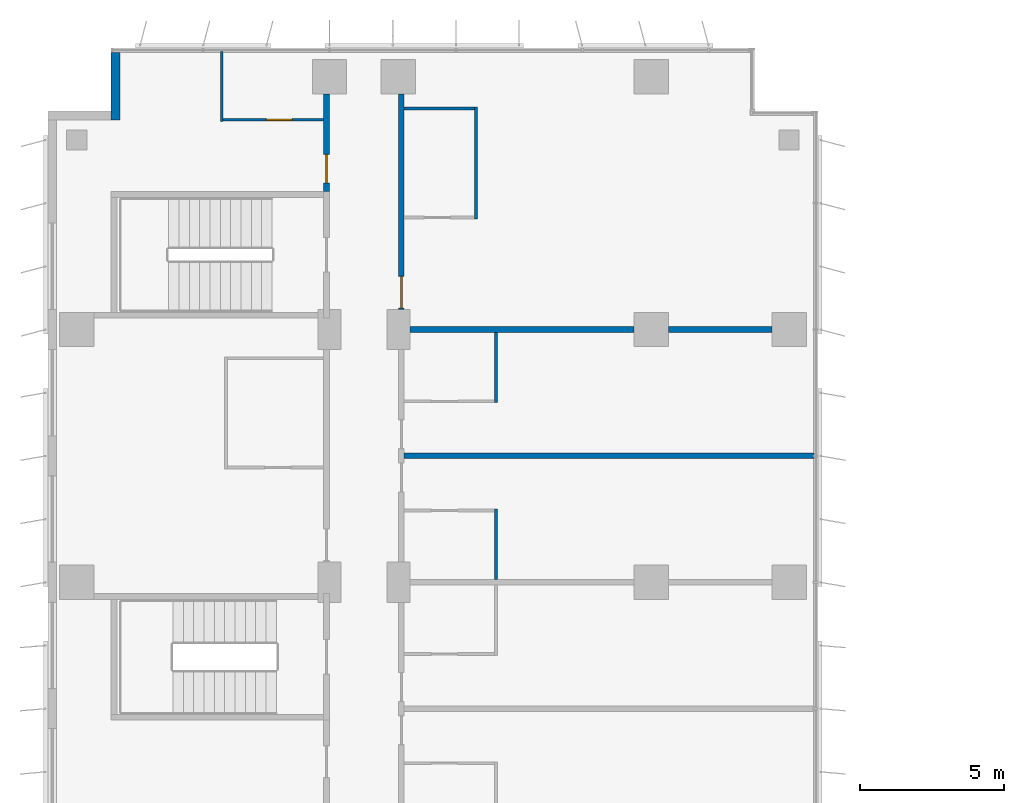
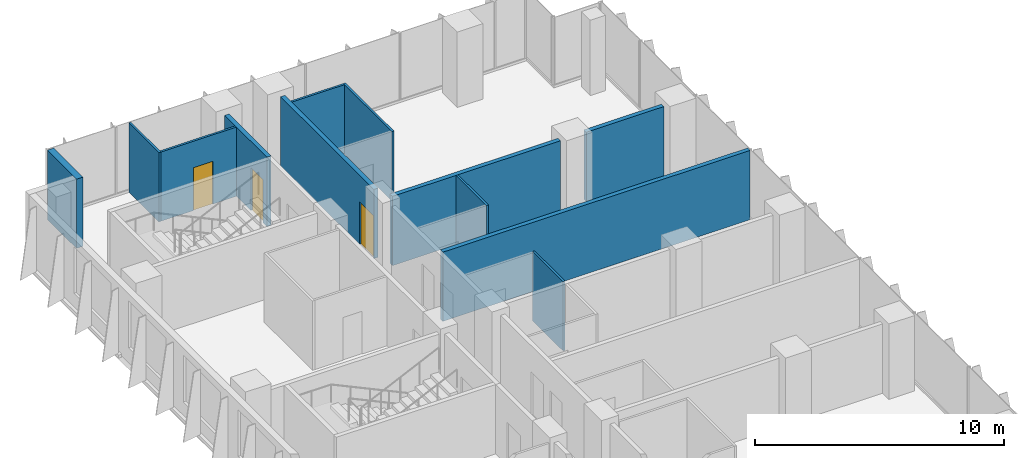
# One storey, part 17 of 22: 12 walls, 3 doors, 3 openings.
"""IFC4 building model written with IfcOpenShell, lengths in metres."""

from ifc_helpers import new_model, si_unit, direction, frame, frame_2d, origin, place, context, subcontext, project, spatial, rectangle, extrude, material, layer, layer_set, type_object, element, fill, save


model = new_model("IFC4")

# Units and contexts
model_context = context("Model", 3, precision=1e-05, world=origin(), true_north=direction((0.0, 1.0)))
body_context = subcontext(model_context, "Body", "Model", "MODEL_VIEW")
ifc_project = project(units=[si_unit("LENGTHUNIT", "METRE"), si_unit("AREAUNIT", "SQUARE_METRE"), si_unit("VOLUMEUNIT", "CUBIC_METRE"), si_unit("PLANEANGLEUNIT", "RADIAN"), si_unit("MASSUNIT", "GRAM", prefix="KILO")], contexts=[model_context])

# Site, building, storey
site_placement = place(None, origin())
site = spatial("IfcSite", under=ifc_project, at=site_placement, CompositionType="ELEMENT")
building_placement = place(site_placement, origin())
building = spatial("IfcBuilding", under=site, at=building_placement, Name="Kemantara Hotel Tower", CompositionType="ELEMENT")
storey_placement = place(building_placement, frame((0.0, 0.0, 94.5)))
storey = spatial("IfcBuildingStorey", under=building, at=storey_placement, Name="L22", CompositionType="ELEMENT", Elevation=94.5)

# Wall
ifc_material_1 = material(Name="Bronze anodised aluminium cladding on insulated steel stud wall", Category="steel")
ifc_layer_1 = layer(ifc_material_1, 0.300048828125)
ifc_layer_set_1 = layer_set([ifc_layer_1], Name="Bronze anodised aluminium cladding on insulated steel stud wall")
wall_type_1 = type_object("IfcWallType", Name="BRONZE METAL-CLAD EXTERNAL WALL 300", PredefinedType="STANDARD", material=ifc_layer_set_1)
wall_1_placement = place(storey_placement, frame((2.35009765625, 81.050048828125, 0.0), z_axis=(0.0, 0.0, 1.0), x_axis=(0.0, -1.0, 0.0)))
element("IfcWall", 1, at=wall_1_placement, inside=storey, type_object=wall_type_1, Name="EXTERNAL WALL L22 T2-R02", PredefinedType="STANDARD", context=body_context, shape_type="SweptSolid", body=[
    extrude(rectangle(XDim=2.35009765625, YDim=0.300048828125, at=frame_2d((1.175048828125, 0.0))), origin(), (0.0, 0.0, 1.0), 3.39990234375),
])

# Wall, opening, door
ifc_material_2 = material(Name="Gypsum board partition, steel studs and mineral wool, 200 mm", Category="steel")
ifc_layer_2 = layer(ifc_material_2, 0.199951171875)
ifc_layer_set_2 = layer_set([ifc_layer_2], Name="Gypsum board partition, steel studs and mineral wool, 200 mm")
wall_type_2 = type_object("IfcWallType", Name="CORRIDOR WALL 200", PredefinedType="PARTITIONING", material=ifc_layer_set_2)
wall_2_placement = place(storey_placement, frame((9.699951171875, 76.199951171875, 0.0), z_axis=(0.0, 0.0, 1.0), x_axis=(0.0, 1.0, 0.0)))
wall_2 = element("IfcWall", 2, at=wall_2_placement, inside=storey, type_object=wall_type_2, Name="CORRIDOR WALL 200 023", PredefinedType="PARTITIONING", context=body_context, shape_type="SweptSolid", body=[
    extrude(rectangle(XDim=3.39990234375, YDim=0.199951171875, at=frame_2d((1.699951171875, 0.0))), origin(), (0.0, 0.0, 1.0), 3.39990234375),
])
opening_1_placement = place(wall_2_placement, frame((0.300048828125, 0.0, 0.0)))
opening_1 = element("IfcOpeningElement", 3, at=opening_1_placement, cuts=wall_2, Name="Opening F08-031", PredefinedType="OPENING", context=body_context, shape_type="SweptSolid", body=[
    extrude(rectangle(XDim=1.0, YDim=2.10009765625, at=frame_2d((0.5, 1.050048828125))), frame((0.0, 0.10986328125, 0.0), z_axis=(0.0, -1.0, 0.0), x_axis=(1.0, 0.0, 0.0)), (0.0, 0.0, 1.0), 0.219970703125),
])
ifc_material_3 = material(Name="Hardwood veneer door leaf with steel frame", Category="steel")
door_type_1 = type_object("IfcDoorType", Name="GUEST ROOM DOOR 1000 X 2100 FD30S", OperationType="NOTDEFINED", PredefinedType="DOOR", material=ifc_material_3)
door_1_placement = place(opening_1_placement, origin())
door_1 = element("IfcDoor", 4, at=door_1_placement, inside=storey, type_object=door_type_1, Name="GUEST ROOM DOOR F08-031", OperationType="SINGLE_SWING_LEFT", OverallHeight=2.10009765625, OverallWidth=1.0, PredefinedType="DOOR", context=body_context, shape_type="SweptSolid", body=[
    extrude(rectangle(XDim=1.0, YDim=2.10009765625, at=frame_2d((0.5, 1.050048828125))), frame((0.0, 0.02490234375, 0.0), z_axis=(0.0, -1.0, 0.0), x_axis=(1.0, 0.0, 0.0)), (0.0, 0.0, 1.0), 0.050048828125),
])
fill(opening_1, door_1)

wall_3_placement = place(storey_placement, frame((12.300048828125, 79.599853515625, 0.0), z_axis=(0.0, 0.0, 1.0), x_axis=(0.0, -1.0, 0.0)))
wall_3 = element("IfcWall", 5, at=wall_3_placement, inside=storey, type_object=wall_type_2, Name="CORRIDOR WALL 200 036", PredefinedType="PARTITIONING", context=body_context, shape_type="SweptSolid", body=[
    extrude(rectangle(XDim=7.499755859375, YDim=0.199951171875, at=frame_2d((3.75, 0.0))), origin(), (0.0, 0.0, 1.0), 3.39990234375),
])
opening_2_placement = place(wall_3_placement, frame((6.349853515625, 0.0, 0.0)))
opening_2 = element("IfcOpeningElement", 6, at=opening_2_placement, cuts=wall_3, Name="Opening F08-049", PredefinedType="OPENING", context=body_context, shape_type="SweptSolid", body=[
    extrude(rectangle(XDim=1.10009765625, YDim=2.10009765625, at=frame_2d((0.550048828125, 1.050048828125))), frame((0.0, 0.10986328125, 0.0), z_axis=(0.0, -1.0, 0.0), x_axis=(1.0, 0.0, 0.0)), (0.0, 0.0, 1.0), 0.219970703125),
])
door_type_2 = type_object("IfcDoorType", Name="SUITE ENTRANCE DOOR 1100 X 2100 FD30S", OperationType="NOTDEFINED", PredefinedType="DOOR", material=ifc_material_3)
door_2_placement = place(opening_2_placement, origin())
door_2 = element("IfcDoor", 7, at=door_2_placement, inside=storey, type_object=door_type_2, Name="SUITE ENTRANCE DOOR F08-049", OperationType="SINGLE_SWING_RIGHT", OverallHeight=2.10009765625, OverallWidth=1.10009765625, PredefinedType="DOOR", context=body_context, shape_type="SweptSolid", body=[
    extrude(rectangle(XDim=1.10009765625, YDim=2.10009765625, at=frame_2d((0.550048828125, 1.050048828125))), frame((0.0, 0.02490234375, 0.0), z_axis=(0.0, -1.0, 0.0), x_axis=(1.0, 0.0, 0.0)), (0.0, 0.0, 1.0), 0.050048828125),
])
fill(opening_2, door_2)

# Walls
ifc_layer_3 = layer(ifc_material_2, 0.199951171875)
ifc_layer_set_3 = layer_set([ifc_layer_3], Name="Gypsum board partition, steel studs and mineral wool, 200 mm")
wall_type_3 = type_object("IfcWallType", Name="GUEST ROOM PARTY WALL 200", PredefinedType="PARTITIONING", material=ifc_layer_set_3)
wall_4_placement = place(storey_placement, frame((12.39990234375, 67.0, 0.0), z_axis=(0.0, 0.0, 1.0), x_axis=(1.0, 0.0, 0.0)))
element("IfcWall", 8, at=wall_4_placement, inside=storey, type_object=wall_type_3, Name="GUEST ROOM PARTY WALL 200 047", PredefinedType="PARTITIONING", context=body_context, shape_type="SweptSolid", body=[
    extrude(rectangle(XDim=14.27001953125, YDim=0.199951171875, at=frame_2d((7.135009765625, 0.0))), origin(), (0.0, 0.0, 1.0), 3.39990234375),
])
wall_5_placement = place(storey_placement, frame((12.60009765625, 71.39990234375, 0.0), z_axis=(0.0, 0.0, 1.0), x_axis=(1.0, 0.0, 0.0)))
element("IfcWall", 9, at=wall_5_placement, inside=storey, type_object=wall_type_3, Name="GUEST ROOM PARTY WALL 200 048", PredefinedType="PARTITIONING", context=body_context, shape_type="SweptSolid", body=[
    extrude(rectangle(XDim=7.7998046875, YDim=0.199951171875, at=frame_2d((3.89990234375, 0.0))), origin(), (0.0, 0.0, 1.0), 3.39990234375),
])
wall_6_placement = place(storey_placement, frame((21.60009765625, 71.39990234375, 0.0), z_axis=(0.0, 0.0, 1.0), x_axis=(1.0, 0.0, 0.0)))
element("IfcWall", 10, at=wall_6_placement, inside=storey, type_object=wall_type_3, Name="GUEST ROOM PARTY WALL 200 049", PredefinedType="PARTITIONING", context=body_context, shape_type="SweptSolid", body=[
    extrude(rectangle(XDim=3.599853515625, YDim=0.199951171875, at=frame_2d((1.7998046875, 0.0))), origin(), (0.0, 0.0, 1.0), 3.39990234375),
])
ifc_material_4 = material(Name="Gypsum board partition on steel studs, 100 mm", Category="steel")
ifc_layer_4 = layer(ifc_material_4, 0.10009765625)
ifc_layer_set_4 = layer_set([ifc_layer_4], Name="Gypsum board partition on steel studs, 100 mm")
wall_type_4 = type_object("IfcWallType", Name="ROOM PARTITION 100", PredefinedType="PARTITIONING", material=ifc_layer_set_4)
wall_7_placement = place(storey_placement, frame((6.050048828125, 78.64990234375, 0.0), z_axis=(0.0, 0.0, 1.0), x_axis=(0.0, 1.0, 0.0)))
element("IfcWall", 11, at=wall_7_placement, inside=storey, type_object=wall_type_4, Name="ROOM PARTITION 100 066", PredefinedType="PARTITIONING", context=body_context, shape_type="SweptSolid", body=[
    extrude(rectangle(XDim=2.420166015625, YDim=0.10009765625, at=frame_2d((1.2099609375, 0.0))), origin(), (0.0, 0.0, 1.0), 3.39990234375),
])

# Wall, opening, door
wall_8_placement = place(storey_placement, frame((6.10009765625, 78.699951171875, 0.0), z_axis=(0.0, 0.0, 1.0), x_axis=(1.0, 0.0, 0.0)))
wall_8 = element("IfcWall", 12, at=wall_8_placement, inside=storey, type_object=wall_type_4, Name="ROOM PARTITION 100 084", PredefinedType="PARTITIONING", context=body_context, shape_type="SweptSolid", body=[
    extrude(rectangle(XDim=3.5, YDim=0.10009765625, at=frame_2d((1.75, 0.0))), origin(), (0.0, 0.0, 1.0), 3.39990234375),
])
opening_3_placement = place(wall_8_placement, frame((1.5, 0.0, 0.0)))
opening_3 = element("IfcOpeningElement", 13, at=opening_3_placement, cuts=wall_8, Name="Opening F08-032", PredefinedType="OPENING", context=body_context, shape_type="SweptSolid", body=[
    extrude(rectangle(XDim=0.89990234375, YDim=2.10009765625, at=frame_2d((0.449951171875, 1.050048828125))), frame((0.0, 0.06005859375, 0.0), z_axis=(0.0, -1.0, 0.0), x_axis=(1.0, 0.0, 0.0)), (0.0, 0.0, 1.0), 0.1201171875),
])
door_type_3 = type_object("IfcDoorType", Name="BATHROOM DOOR 900 X 2100", OperationType="NOTDEFINED", PredefinedType="DOOR", material=ifc_material_3)
door_3_placement = place(opening_3_placement, origin())
door_3 = element("IfcDoor", 14, at=door_3_placement, inside=storey, type_object=door_type_3, Name="BATHROOM DOOR F08-032", OperationType="SINGLE_SWING_RIGHT", OverallHeight=2.10009765625, OverallWidth=0.89990234375, PredefinedType="DOOR", context=body_context, shape_type="SweptSolid", body=[
    extrude(rectangle(XDim=0.89990234375, YDim=2.10009765625, at=frame_2d((0.449951171875, 1.050048828125))), frame((0.0, 0.02490234375, 0.0), z_axis=(0.0, -1.0, 0.0), x_axis=(1.0, 0.0, 0.0)), (0.0, 0.0, 1.0), 0.050048828125),
])
fill(opening_3, door_3)

# Walls
for number, where, z_axis, x_axis, name in (
    (15, (15.60009765625, 62.699951171875, 0.0), (0.0, 0.0, 1.0), (0.0, 1.0, 0.0), "ROOM PARTITION 100 093"),
    (16, (15.60009765625, 68.85009765625, 0.0), (0.0, 0.0, 1.0), (0.0, 1.0, 0.0), "ROOM PARTITION 100 094"),
):
    element("IfcWall", number, at=place(storey_placement, frame(where, z_axis=z_axis, x_axis=x_axis)), inside=storey, type_object=wall_type_4, Name=name, PredefinedType="PARTITIONING", context=body_context, shape_type="SweptSolid", body=[
        extrude(rectangle(XDim=2.449951171875, YDim=0.10009765625, at=frame_2d((1.22509765625, 0.0))), origin(), (0.0, 0.0, 1.0), 3.39990234375),
    ])
wall_9_placement = place(storey_placement, frame((14.89990234375, 75.25, 0.0), z_axis=(0.0, 0.0, 1.0), x_axis=(0.0, 1.0, 0.0)))
element("IfcWall", 17, at=wall_9_placement, inside=storey, type_object=wall_type_4, Name="ROOM PARTITION 100 102", PredefinedType="PARTITIONING", context=body_context, shape_type="SweptSolid", body=[
    extrude(rectangle(XDim=3.89990234375, YDim=0.10009765625, at=frame_2d((1.949951171875, 0.0))), origin(), (0.0, 0.0, 1.0), 3.39990234375),
])
wall_10_placement = place(storey_placement, frame((12.39990234375, 79.10009765625, 0.0), z_axis=(0.0, 0.0, 1.0), x_axis=(1.0, 0.0, 0.0)))
element("IfcWall", 18, at=wall_10_placement, inside=storey, type_object=wall_type_4, Name="ROOM PARTITION 100 104", PredefinedType="PARTITIONING", context=body_context, shape_type="SweptSolid", body=[
    extrude(rectangle(XDim=2.4501953125, YDim=0.10009765625, at=frame_2d((1.22509765625, 0.0))), origin(), (0.0, 0.0, 1.0), 3.39990234375),
])

save(model, "model.ifc")
